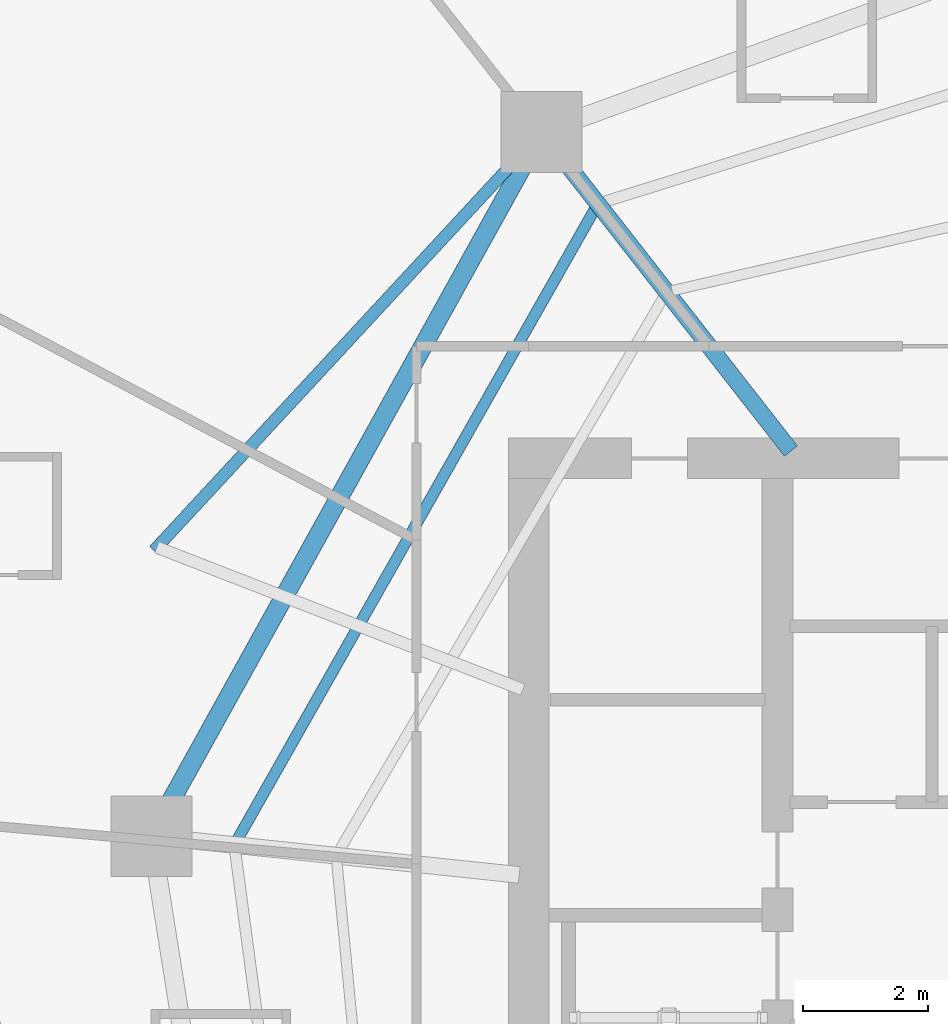
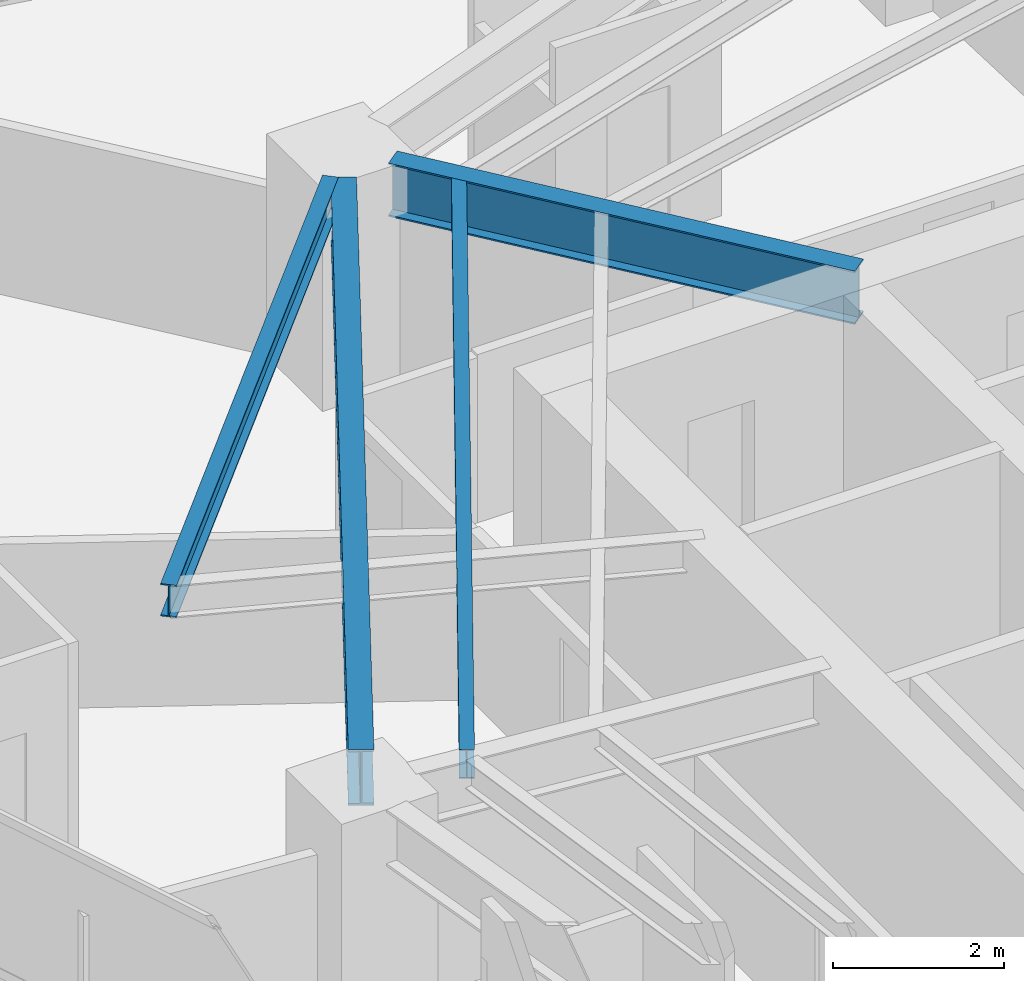
# One storey, part 18 of 33: 4 beams.
"""IFC4 building model written with IfcOpenShell, lengths in metres."""

from ifc_helpers import new_model, si_unit, direction, frame, origin, origin_2d, place, context, subcontext, project, spatial, i_section, extrude, material, material_profile, profile_set, type_object, element, save


model = new_model("IFC4")

# Units and contexts
model_context = context("Model", 3, precision=1e-05, world=origin(), true_north=direction((0.0, 1.0)))
body_context = subcontext(model_context, "Body", "Model", "MODEL_VIEW")
ifc_project = project(units=[si_unit("LENGTHUNIT", "METRE"), si_unit("AREAUNIT", "SQUARE_METRE"), si_unit("VOLUMEUNIT", "CUBIC_METRE"), si_unit("PLANEANGLEUNIT", "RADIAN"), si_unit("MASSUNIT", "GRAM", prefix="KILO")], contexts=[model_context])

# Site, building, storey
site_placement = place(None, origin())
site = spatial("IfcSite", under=ifc_project, at=site_placement, CompositionType="ELEMENT")
building_placement = place(site_placement, origin())
building = spatial("IfcBuilding", under=site, at=building_placement, Name="Qarnah Convention Tower", CompositionType="ELEMENT")
storey_placement = place(building_placement, frame((0.0, 0.0, 27.0)))
storey = spatial("IfcBuildingStorey", under=building, at=storey_placement, Name="L05", CompositionType="ELEMENT", Elevation=27.0)

# Beams
ifc_material = material(Name="Structural steel S355JR", Category="steel")
ifc_material_profile_1 = material_profile(ifc_material, i_section(OverallWidth=0.19189453125, OverallDepth=0.464111328125, WebThickness=0.010986328125, FlangeThickness=0.01806640625, at=origin_2d()), Name="W460X89")
ifc_profile_set_1 = profile_set([ifc_material_profile_1], Name="Structural steel S355JR")
beam_type_1 = type_object("IfcBeamType", Name="BM-CANT-W460A", PredefinedType="BEAM", material=ifc_profile_set_1)
beam_1_placement = place(storey_placement, frame((20.782958984375, 32.719970703125, 2.93798828125), z_axis=(0.679611332191, 0.733572380313, 0.0), x_axis=(-0.733572380313, 0.679611332191, 0.0)))
element("IfcBeam", 1, at=beam_1_placement, inside=storey, type_object=beam_type_1, Name="L05 spandrel BM-L05-CTIE-02", PredefinedType="SPANDREL", context=body_context, shape_type="SweptSolid", body=[
    extrude(i_section(OverallWidth=0.19189453125, OverallDepth=0.464111328125, WebThickness=0.010986328125, FlangeThickness=0.01806640625, at=origin_2d()), origin(), (0.0, 0.0, 1.0), 8.52392578125),
])
ifc_material_profile_2 = material_profile(ifc_material, i_section(OverallWidth=0.177978515625, OverallDepth=0.407958984375, WebThickness=0.008056640625, FlangeThickness=0.012939453125, at=origin_2d()), Name="W410X60")
ifc_profile_set_2 = profile_set([ifc_material_profile_2], Name="Structural steel S355JR")
beam_type_2 = type_object("IfcBeamType", Name="BM-JST-W410", PredefinedType="JOIST", material=ifc_profile_set_2)
beam_2_placement = place(storey_placement, frame((27.867919921875, 38.2109375, 2.966064453125), z_axis=(-0.493168421993, -0.869933852399, 0.0), x_axis=(0.869933852399, -0.493168421993, 0.0)))
element("IfcBeam", 2, at=beam_2_placement, inside=storey, type_object=beam_type_2, Name="L05 joist BM-L05-SJST-04", PredefinedType="JOIST", context=body_context, shape_type="SweptSolid", body=[
    extrude(i_section(OverallWidth=0.177978515625, OverallDepth=0.407958984375, WebThickness=0.008056640625, FlangeThickness=0.012939453125, at=origin_2d()), origin(), (0.0, 0.0, 1.0), 11.659423828125),
])
ifc_material_profile_3 = material_profile(ifc_material, i_section(OverallWidth=0.26806640625, OverallDepth=0.760009765625, WebThickness=0.014892578125, FlangeThickness=0.02197265625, at=origin_2d()), Name="W760X185")
ifc_profile_set_3 = profile_set([ifc_material_profile_3], Name="Structural steel S355JR")
beam_type_3 = type_object("IfcBeamType", Name="BM-RAD-W760", PredefinedType="BEAM", material=ifc_profile_set_3)
beam_3_placement = place(storey_placement, frame((31.013916015625, 34.318115234375, 2.7900390625), z_axis=(-0.61558272574, 0.78807227319, 0.0), x_axis=(-0.78807227319, -0.61558272574, 0.0)))
element("IfcBeam", 3, at=beam_3_placement, inside=storey, type_object=beam_type_3, Name="L05 beam BM-L05-RAD-04", PredefinedType="BEAM", context=body_context, shape_type="SweptSolid", body=[
    extrude(i_section(OverallWidth=0.26806640625, OverallDepth=0.760009765625, WebThickness=0.014892578125, FlangeThickness=0.02197265625, at=origin_2d()), origin(), (0.0, 0.0, 1.0), 5.87255859375),
])
ifc_material_profile_4 = material_profile(ifc_material, i_section(OverallWidth=0.300048828125, OverallDepth=0.800048828125, WebThickness=0.01806640625, FlangeThickness=0.032958984375, at=origin_2d()), Name="HEB800")
ifc_profile_set_4 = profile_set([ifc_material_profile_4], Name="Structural steel S355JR")
beam_type_4 = type_object("IfcBeamType", Name="BM-RING-HEB800", PredefinedType="BEAM", material=ifc_profile_set_4)
beam_4_placement = place(storey_placement, frame((26.700927734375, 38.882080078125, 2.77001953125), z_axis=(-0.484829813426, -0.874608513572, 0.0), x_axis=(0.874608513572, -0.484829813426, 0.0)))
element("IfcBeam", 4, at=beam_4_placement, inside=storey, type_object=beam_type_4, Name="L05 beam BM-L05-SPN-04", PredefinedType="BEAM", context=body_context, shape_type="SweptSolid", body=[
    extrude(i_section(OverallWidth=0.300048828125, OverallDepth=0.800048828125, WebThickness=0.01806640625, FlangeThickness=0.032958984375, at=origin_2d()), origin(), (0.0, 0.0, 1.0), 11.6533203125),
])

save(model, "model.ifc")
